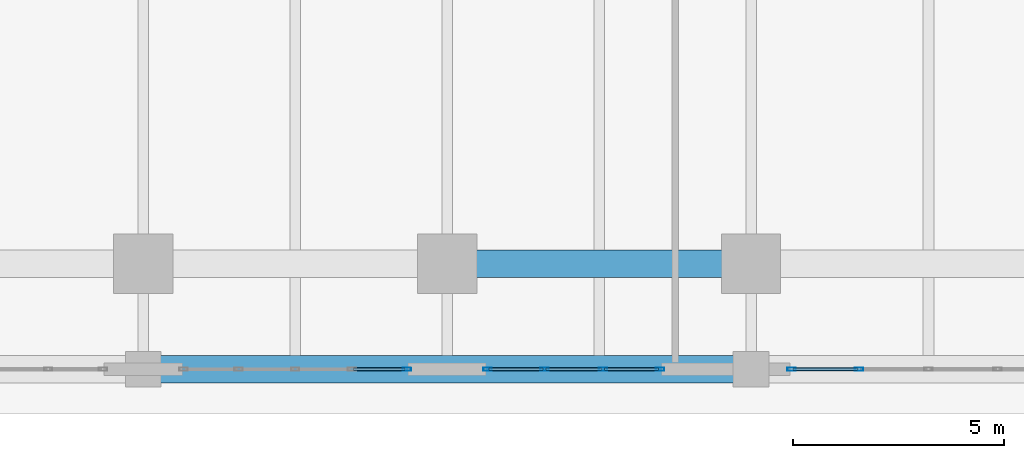
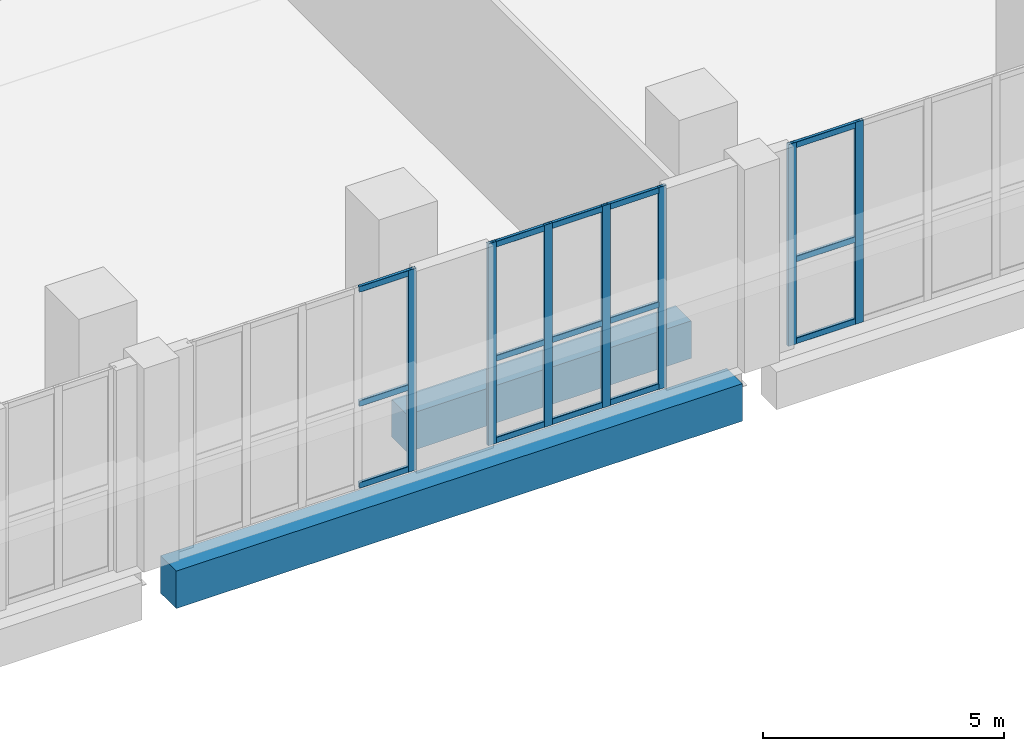
# One storey, part 8 of 25: 22 members, 2 beams, 3 elements without a shape of their own.
"""IFC4 building model written with IfcOpenShell, lengths in metres."""

from ifc_helpers import new_model, si_unit, direction, frame, origin, origin_2d, place, context, subcontext, project, spatial, rectangle, hollow_rectangle, extrude, material, layer, layer_set, material_profile, profile_set, type_object, element, aggregate, save


model = new_model("IFC4")

# Units and contexts
model_context = context("Model", 3, precision=1e-05, world=origin(), true_north=direction((0.0, 1.0)))
body_context = subcontext(model_context, "Body", "Model", "MODEL_VIEW")
ifc_project = project(units=[si_unit("LENGTHUNIT", "METRE"), si_unit("AREAUNIT", "SQUARE_METRE"), si_unit("VOLUMEUNIT", "CUBIC_METRE"), si_unit("PLANEANGLEUNIT", "RADIAN"), si_unit("MASSUNIT", "GRAM", prefix="KILO")], contexts=[model_context])

# Site, building, storey
site_placement = place(None, origin())
site = spatial("IfcSite", under=ifc_project, at=site_placement, CompositionType="ELEMENT")
building_placement = place(site_placement, origin())
building = spatial("IfcBuilding", under=site, at=building_placement, Name="Kaelvorn Grand Hotel", CompositionType="ELEMENT")
storey_placement = place(building_placement, frame((0.0, 0.0, 26.0)))
storey = spatial("IfcBuildingStorey", under=building, at=storey_placement, Name="L04", CompositionType="ELEMENT", Elevation=26.0)

# Beams
ifc_material_1 = material(Name="Concrete C60/75", Category="concrete")
ifc_material_profile_1 = material_profile(ifc_material_1, rectangle(XDim=0.64990234375, YDim=0.949951171875, at=origin_2d()), Name="RC SPANDREL 650x950")
ifc_profile_set_1 = profile_set([ifc_material_profile_1], Name="Concrete C60/75")
beam_type = type_object("IfcBeamType", Name="BM-SP-650x950-C60", PredefinedType="SPANDREL", material=ifc_profile_set_1)
beam_1_placement = place(storey_placement, frame((23.81005859375, -2.5, -0.794921875), z_axis=(1.0, 0.0, 0.0), x_axis=(0.0, 1.0, 0.0)))
element("IfcBeam", 1, at=beam_1_placement, inside=storey, type_object=beam_type, Name="L04 South Perimeter Spandrel 03", PredefinedType="SPANDREL", context=body_context, shape_type="SweptSolid", body=[
    extrude(rectangle(XDim=0.64990234375, YDim=0.949951171875, at=origin_2d()), origin(), (0.0, 0.0, 1.0), 13.579833984375),
])
beam_2_placement = place(storey_placement, frame((30.794921875, 0.0, -0.794921875), z_axis=(1.0, 0.0, 0.0), x_axis=(0.0, 1.0, 0.0)))
element("IfcBeam", 2, at=beam_2_placement, inside=storey, type_object=beam_type, Name="L04 Tower Line South Girder 04", PredefinedType="SPANDREL", context=body_context, shape_type="SweptSolid", body=[
    extrude(rectangle(XDim=0.64990234375, YDim=0.949951171875, at=origin_2d()), origin(), (0.0, 0.0, 1.0), 6.81005859375),
])

# Curtain wall, member
ifc_material_2 = material(Name="Anodised Aluminium", Category="aluminium")
ifc_layer = layer(ifc_material_2, 0.199951171875)
ifc_layer_set = layer_set([ifc_layer], Name="Anodised Aluminium")
curtain_wall_type = type_object("IfcCurtainWallType", Name="CW-SYS2", PredefinedType="NOTDEFINED", material=ifc_layer_set)
curtain_wall_1_placement = place(storey_placement, origin())
curtain_wall_1 = element("IfcCurtainWall", 3, at=curtain_wall_1_placement, inside=storey, type_object=curtain_wall_type, Name="L04 Unitised Curtain Wall CW2 (CW-L04-S-02)", PredefinedType="NOTDEFINED")
ifc_material_profile_2 = material_profile(ifc_material_2, hollow_rectangle(XDim=0.074951171875, YDim=0.199951171875, WallThickness=0.00390625, InnerFilletRadius=0.00390625, OuterFilletRadius=0.008056640625, at=origin_2d()), Name="ALU MULL 75x200")
ifc_profile_set_2 = profile_set([ifc_material_profile_2], Name="Anodised Aluminium")
member_type_1 = type_object("IfcMemberType", Name="CW-SYS2-MULL", PredefinedType="MULLION", material=ifc_profile_set_2)
member_1_placement = place(storey_placement, frame((29.642578125, -2.5, 0.0), z_axis=(0.0, 0.0, 1.0), x_axis=(0.0, 1.0, 0.0)))
member_1 = element("IfcMember", 4, at=member_1_placement, type_object=member_type_1, Name="CW2 mullion 5", PredefinedType="MULLION", context=body_context, shape_type="SweptSolid", body=[
    extrude(hollow_rectangle(XDim=0.074951171875, YDim=0.199951171875, WallThickness=0.00390625, InnerFilletRadius=0.00390625, OuterFilletRadius=0.008056640625, at=origin_2d()), origin(), (0.0, 0.0, 1.0), 5.1201171875),
])

# Curtain wall, members
curtain_wall_2_placement = place(storey_placement, origin())
curtain_wall_2 = element("IfcCurtainWall", 5, at=curtain_wall_2_placement, inside=storey, type_object=curtain_wall_type, Name="L04 Unitised Curtain Wall CW2 (CW-L04-S-03)", PredefinedType="NOTDEFINED")
member_2_placement = place(storey_placement, frame((31.5576171875, -2.5, 0.0), z_axis=(0.0, 0.0, 1.0), x_axis=(0.0, 1.0, 0.0)))
member_2 = element("IfcMember", 6, at=member_2_placement, type_object=member_type_1, Name="CW2 mullion 1", PredefinedType="MULLION", context=body_context, shape_type="SweptSolid", body=[
    extrude(hollow_rectangle(XDim=0.074951171875, YDim=0.199951171875, WallThickness=0.00390625, InnerFilletRadius=0.00390625, OuterFilletRadius=0.008056640625, at=origin_2d()), origin(), (0.0, 0.0, 1.0), 5.1201171875),
])
member_3_placement = place(storey_placement, frame((32.90673828125, -2.5, 0.0), z_axis=(0.0, 0.0, 1.0), x_axis=(0.0, 1.0, 0.0)))
member_3 = element("IfcMember", 7, at=member_3_placement, type_object=member_type_1, Name="CW2 mullion 2", PredefinedType="MULLION", context=body_context, shape_type="SweptSolid", body=[
    extrude(hollow_rectangle(XDim=0.074951171875, YDim=0.199951171875, WallThickness=0.00390625, InnerFilletRadius=0.00390625, OuterFilletRadius=0.008056640625, at=origin_2d()), origin(), (0.0, 0.0, 1.0), 5.1201171875),
])
member_4_placement = place(storey_placement, frame((34.293212890625, -2.5, 0.0), z_axis=(0.0, 0.0, 1.0), x_axis=(0.0, 1.0, 0.0)))
member_4 = element("IfcMember", 8, at=member_4_placement, type_object=member_type_1, Name="CW2 mullion 3", PredefinedType="MULLION", context=body_context, shape_type="SweptSolid", body=[
    extrude(hollow_rectangle(XDim=0.074951171875, YDim=0.199951171875, WallThickness=0.00390625, InnerFilletRadius=0.00390625, OuterFilletRadius=0.008056640625, at=origin_2d()), origin(), (0.0, 0.0, 1.0), 5.1201171875),
])
member_5_placement = place(storey_placement, frame((35.642578125, -2.5, 0.0), z_axis=(0.0, 0.0, 1.0), x_axis=(0.0, 1.0, 0.0)))
member_5 = element("IfcMember", 9, at=member_5_placement, type_object=member_type_1, Name="CW2 mullion 4", PredefinedType="MULLION", context=body_context, shape_type="SweptSolid", body=[
    extrude(hollow_rectangle(XDim=0.074951171875, YDim=0.199951171875, WallThickness=0.00390625, InnerFilletRadius=0.00390625, OuterFilletRadius=0.008056640625, at=origin_2d()), origin(), (0.0, 0.0, 1.0), 5.1201171875),
])

curtain_wall_3_placement = place(storey_placement, origin())
curtain_wall_3 = element("IfcCurtainWall", 10, at=curtain_wall_3_placement, inside=storey, type_object=curtain_wall_type, Name="L04 Unitised Curtain Wall CW2 (CW-L04-S-04)", PredefinedType="NOTDEFINED")
member_6_placement = place(storey_placement, frame((38.757568359375, -2.5, 0.0), z_axis=(0.0, 0.0, 1.0), x_axis=(0.0, 1.0, 0.0)))
member_6 = element("IfcMember", 11, at=member_6_placement, type_object=member_type_1, Name="CW2 mullion 1", PredefinedType="MULLION", context=body_context, shape_type="SweptSolid", body=[
    extrude(hollow_rectangle(XDim=0.074951171875, YDim=0.199951171875, WallThickness=0.00390625, InnerFilletRadius=0.00390625, OuterFilletRadius=0.008056640625, at=origin_2d()), origin(), (0.0, 0.0, 1.0), 5.1201171875),
])
member_7_placement = place(storey_placement, frame((40.360107421875, -2.5, 0.0), z_axis=(0.0, 0.0, 1.0), x_axis=(0.0, 1.0, 0.0)))
member_7 = element("IfcMember", 12, at=member_7_placement, type_object=member_type_1, Name="CW2 mullion 2", PredefinedType="MULLION", context=body_context, shape_type="SweptSolid", body=[
    extrude(hollow_rectangle(XDim=0.074951171875, YDim=0.199951171875, WallThickness=0.00390625, InnerFilletRadius=0.00390625, OuterFilletRadius=0.008056640625, at=origin_2d()), origin(), (0.0, 0.0, 1.0), 5.1201171875),
])

# Member
ifc_material_profile_3 = material_profile(ifc_material_2, hollow_rectangle(XDim=0.074951171875, YDim=0.14990234375, WallThickness=0.00390625, InnerFilletRadius=0.00390625, OuterFilletRadius=0.008056640625, at=origin_2d()), Name="ALU TRAN 75x150")
ifc_profile_set_3 = profile_set([ifc_material_profile_3], Name="Anodised Aluminium")
member_type_2 = type_object("IfcMemberType", Name="CW-SYS2-TRAN", PredefinedType="NOTDEFINED", material=ifc_profile_set_3)
member_8_placement = place(storey_placement, frame((28.37744140625, -2.5, 0.074951171875), z_axis=(1.0, 0.0, 0.0), x_axis=(0.0, 1.0, 0.0)))
member_8 = element("IfcMember", 13, at=member_8_placement, type_object=member_type_2, Name="CW2 transom 4.1", ObjectType="TRANSOM", PredefinedType="USERDEFINED", context=body_context, shape_type="SweptSolid", body=[
    extrude(hollow_rectangle(XDim=0.074951171875, YDim=0.14990234375, WallThickness=0.00390625, InnerFilletRadius=0.00390625, OuterFilletRadius=0.008056640625, at=origin_2d()), origin(), (0.0, 0.0, 1.0), 1.2275390625),
])

member_9_placement = place(storey_placement, frame((28.37744140625, -2.5, 2.150390625), z_axis=(1.0, 0.0, 0.0), x_axis=(0.0, 1.0, 0.0)))
member_9 = element("IfcMember", 14, at=member_9_placement, type_object=member_type_2, Name="CW2 transom 4.2", ObjectType="TRANSOM", PredefinedType="USERDEFINED", context=body_context, shape_type="SweptSolid", body=[
    extrude(hollow_rectangle(XDim=0.074951171875, YDim=0.14990234375, WallThickness=0.00390625, InnerFilletRadius=0.00390625, OuterFilletRadius=0.008056640625, at=origin_2d()), origin(), (0.0, 0.0, 1.0), 1.2275390625),
])

member_10_placement = place(storey_placement, frame((28.37744140625, -2.5, 5.044921875), z_axis=(1.0, 0.0, 0.0), x_axis=(0.0, 1.0, 0.0)))
member_10 = element("IfcMember", 15, at=member_10_placement, type_object=member_type_2, Name="CW2 transom 4.3", ObjectType="TRANSOM", PredefinedType="USERDEFINED", context=body_context, shape_type="SweptSolid", body=[
    extrude(hollow_rectangle(XDim=0.074951171875, YDim=0.14990234375, WallThickness=0.00390625, InnerFilletRadius=0.00390625, OuterFilletRadius=0.008056640625, at=origin_2d()), origin(), (0.0, 0.0, 1.0), 1.2275390625),
])

aggregate(curtain_wall_1, [member_1, member_8, member_9, member_10])

member_11_placement = place(storey_placement, frame((31.594970703125, -2.5, 0.074951171875), z_axis=(1.0, 0.0, 0.0), x_axis=(0.0, 1.0, 0.0)))
member_11 = element("IfcMember", 16, at=member_11_placement, type_object=member_type_2, Name="CW2 transom 1.1", ObjectType="TRANSOM", PredefinedType="USERDEFINED", context=body_context, shape_type="SweptSolid", body=[
    extrude(hollow_rectangle(XDim=0.074951171875, YDim=0.14990234375, WallThickness=0.00390625, InnerFilletRadius=0.00390625, OuterFilletRadius=0.008056640625, at=origin_2d()), origin(), (0.0, 0.0, 1.0), 1.274169921875),
])

member_12_placement = place(storey_placement, frame((31.594970703125, -2.5, 2.150390625), z_axis=(1.0, 0.0, 0.0), x_axis=(0.0, 1.0, 0.0)))
member_12 = element("IfcMember", 17, at=member_12_placement, type_object=member_type_2, Name="CW2 transom 1.2", ObjectType="TRANSOM", PredefinedType="USERDEFINED", context=body_context, shape_type="SweptSolid", body=[
    extrude(hollow_rectangle(XDim=0.074951171875, YDim=0.14990234375, WallThickness=0.00390625, InnerFilletRadius=0.00390625, OuterFilletRadius=0.008056640625, at=origin_2d()), origin(), (0.0, 0.0, 1.0), 1.274169921875),
])

member_13_placement = place(storey_placement, frame((31.594970703125, -2.5, 5.044921875), z_axis=(1.0, 0.0, 0.0), x_axis=(0.0, 1.0, 0.0)))
member_13 = element("IfcMember", 18, at=member_13_placement, type_object=member_type_2, Name="CW2 transom 1.3", ObjectType="TRANSOM", PredefinedType="USERDEFINED", context=body_context, shape_type="SweptSolid", body=[
    extrude(hollow_rectangle(XDim=0.074951171875, YDim=0.14990234375, WallThickness=0.00390625, InnerFilletRadius=0.00390625, OuterFilletRadius=0.008056640625, at=origin_2d()), origin(), (0.0, 0.0, 1.0), 1.274169921875),
])

member_14_placement = place(storey_placement, frame((32.944091796875, -2.5, 0.074951171875), z_axis=(1.0, 0.0, 0.0), x_axis=(0.0, 1.0, 0.0)))
member_14 = element("IfcMember", 19, at=member_14_placement, type_object=member_type_2, Name="CW2 transom 2.1", ObjectType="TRANSOM", PredefinedType="USERDEFINED", context=body_context, shape_type="SweptSolid", body=[
    extrude(hollow_rectangle(XDim=0.074951171875, YDim=0.14990234375, WallThickness=0.00390625, InnerFilletRadius=0.00390625, OuterFilletRadius=0.008056640625, at=origin_2d()), origin(), (0.0, 0.0, 1.0), 1.311767578125),
])

member_15_placement = place(storey_placement, frame((32.944091796875, -2.5, 2.150390625), z_axis=(1.0, 0.0, 0.0), x_axis=(0.0, 1.0, 0.0)))
member_15 = element("IfcMember", 20, at=member_15_placement, type_object=member_type_2, Name="CW2 transom 2.2", ObjectType="TRANSOM", PredefinedType="USERDEFINED", context=body_context, shape_type="SweptSolid", body=[
    extrude(hollow_rectangle(XDim=0.074951171875, YDim=0.14990234375, WallThickness=0.00390625, InnerFilletRadius=0.00390625, OuterFilletRadius=0.008056640625, at=origin_2d()), origin(), (0.0, 0.0, 1.0), 1.311767578125),
])

member_16_placement = place(storey_placement, frame((32.944091796875, -2.5, 5.044921875), z_axis=(1.0, 0.0, 0.0), x_axis=(0.0, 1.0, 0.0)))
member_16 = element("IfcMember", 21, at=member_16_placement, type_object=member_type_2, Name="CW2 transom 2.3", ObjectType="TRANSOM", PredefinedType="USERDEFINED", context=body_context, shape_type="SweptSolid", body=[
    extrude(hollow_rectangle(XDim=0.074951171875, YDim=0.14990234375, WallThickness=0.00390625, InnerFilletRadius=0.00390625, OuterFilletRadius=0.008056640625, at=origin_2d()), origin(), (0.0, 0.0, 1.0), 1.311767578125),
])

member_17_placement = place(storey_placement, frame((34.330810546875, -2.5, 0.074951171875), z_axis=(1.0, 0.0, 0.0), x_axis=(0.0, 1.0, 0.0)))
member_17 = element("IfcMember", 22, at=member_17_placement, type_object=member_type_2, Name="CW2 transom 3.1", ObjectType="TRANSOM", PredefinedType="USERDEFINED", context=body_context, shape_type="SweptSolid", body=[
    extrude(hollow_rectangle(XDim=0.074951171875, YDim=0.14990234375, WallThickness=0.00390625, InnerFilletRadius=0.00390625, OuterFilletRadius=0.008056640625, at=origin_2d()), origin(), (0.0, 0.0, 1.0), 1.274169921875),
])

member_18_placement = place(storey_placement, frame((34.330810546875, -2.5, 2.150390625), z_axis=(1.0, 0.0, 0.0), x_axis=(0.0, 1.0, 0.0)))
member_18 = element("IfcMember", 23, at=member_18_placement, type_object=member_type_2, Name="CW2 transom 3.2", ObjectType="TRANSOM", PredefinedType="USERDEFINED", context=body_context, shape_type="SweptSolid", body=[
    extrude(hollow_rectangle(XDim=0.074951171875, YDim=0.14990234375, WallThickness=0.00390625, InnerFilletRadius=0.00390625, OuterFilletRadius=0.008056640625, at=origin_2d()), origin(), (0.0, 0.0, 1.0), 1.274169921875),
])

member_19_placement = place(storey_placement, frame((34.330810546875, -2.5, 5.044921875), z_axis=(1.0, 0.0, 0.0), x_axis=(0.0, 1.0, 0.0)))
member_19 = element("IfcMember", 24, at=member_19_placement, type_object=member_type_2, Name="CW2 transom 3.3", ObjectType="TRANSOM", PredefinedType="USERDEFINED", context=body_context, shape_type="SweptSolid", body=[
    extrude(hollow_rectangle(XDim=0.074951171875, YDim=0.14990234375, WallThickness=0.00390625, InnerFilletRadius=0.00390625, OuterFilletRadius=0.008056640625, at=origin_2d()), origin(), (0.0, 0.0, 1.0), 1.274169921875),
])

aggregate(curtain_wall_2, [member_2, member_3, member_4, member_5, member_11, member_12, member_13, member_14, member_15, member_16, member_17, member_18, member_19])

member_20_placement = place(storey_placement, frame((38.794921875, -2.5, 0.074951171875), z_axis=(1.0, 0.0, 0.0), x_axis=(0.0, 1.0, 0.0)))
member_20 = element("IfcMember", 25, at=member_20_placement, type_object=member_type_2, Name="CW2 transom 1.1", ObjectType="TRANSOM", PredefinedType="USERDEFINED", context=body_context, shape_type="SweptSolid", body=[
    extrude(hollow_rectangle(XDim=0.074951171875, YDim=0.14990234375, WallThickness=0.00390625, InnerFilletRadius=0.00390625, OuterFilletRadius=0.008056640625, at=origin_2d()), origin(), (0.0, 0.0, 1.0), 1.527587890625),
])

member_21_placement = place(storey_placement, frame((38.794921875, -2.5, 2.150390625), z_axis=(1.0, 0.0, 0.0), x_axis=(0.0, 1.0, 0.0)))
member_21 = element("IfcMember", 26, at=member_21_placement, type_object=member_type_2, Name="CW2 transom 1.2", ObjectType="TRANSOM", PredefinedType="USERDEFINED", context=body_context, shape_type="SweptSolid", body=[
    extrude(hollow_rectangle(XDim=0.074951171875, YDim=0.14990234375, WallThickness=0.00390625, InnerFilletRadius=0.00390625, OuterFilletRadius=0.008056640625, at=origin_2d()), origin(), (0.0, 0.0, 1.0), 1.527587890625),
])

member_22_placement = place(storey_placement, frame((38.794921875, -2.5, 5.044921875), z_axis=(1.0, 0.0, 0.0), x_axis=(0.0, 1.0, 0.0)))
member_22 = element("IfcMember", 27, at=member_22_placement, type_object=member_type_2, Name="CW2 transom 1.3", ObjectType="TRANSOM", PredefinedType="USERDEFINED", context=body_context, shape_type="SweptSolid", body=[
    extrude(hollow_rectangle(XDim=0.074951171875, YDim=0.14990234375, WallThickness=0.00390625, InnerFilletRadius=0.00390625, OuterFilletRadius=0.008056640625, at=origin_2d()), origin(), (0.0, 0.0, 1.0), 1.527587890625),
])

aggregate(curtain_wall_3, [member_6, member_7, member_20, member_21, member_22])

save(model, "model.ifc")
